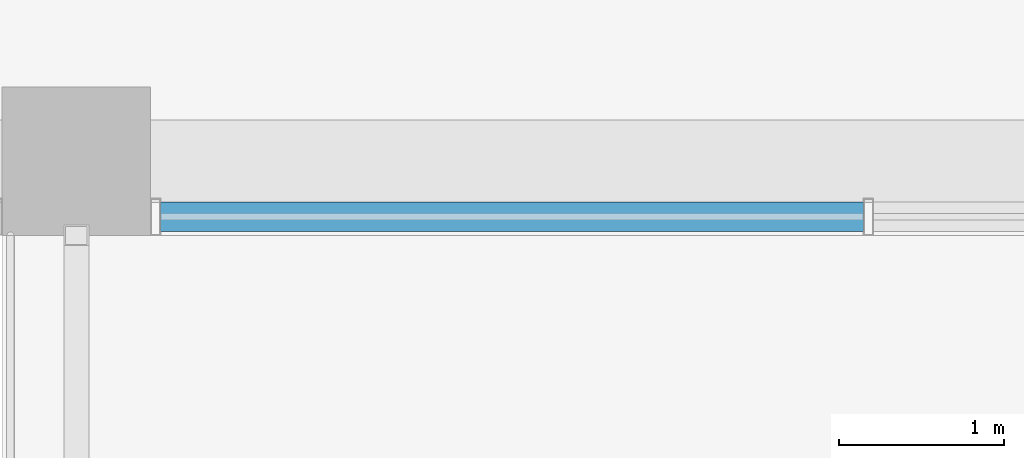
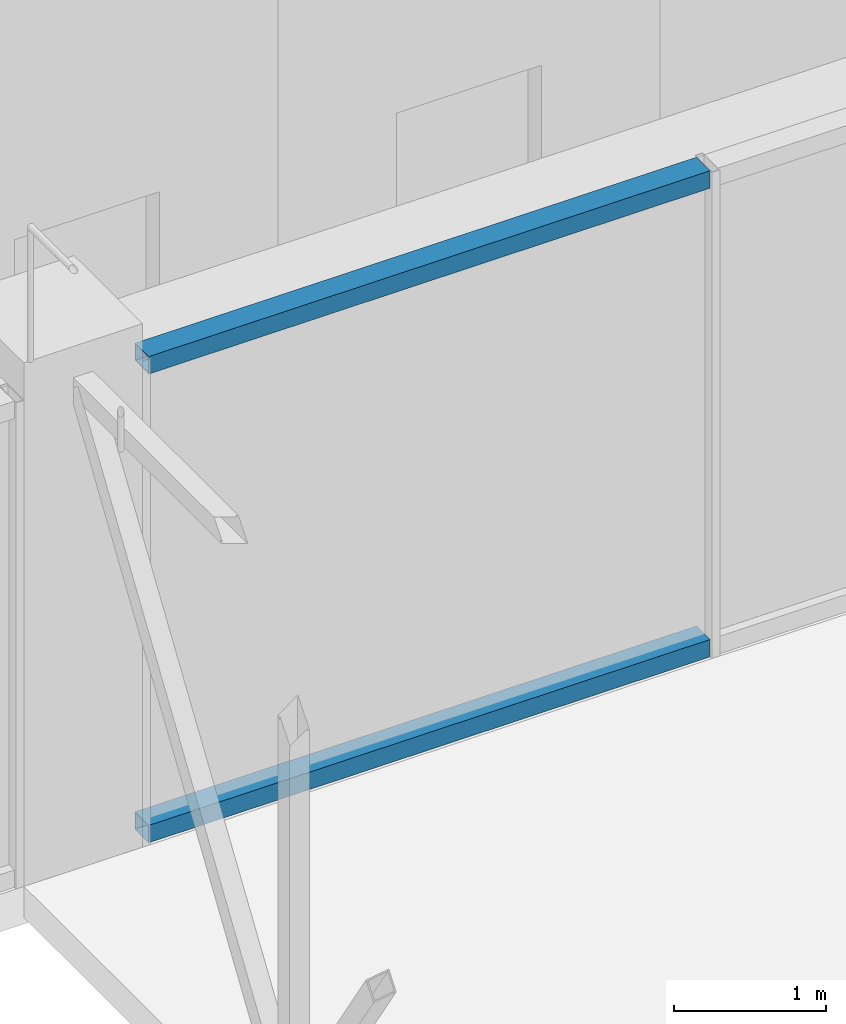
# One storey, part 11 of 38: 2 members, 1 element without a shape of its own.
"""IFC4 building model written with IfcOpenShell, lengths in metres."""

from ifc_helpers import new_model, si_unit, direction, frame, origin, origin_2d, place, context, subcontext, project, spatial, hollow_rectangle, extrude, material, layer, layer_set, material_profile, profile_set, type_object, element, aggregate, save


model = new_model("IFC4")

# Units and contexts
model_context = context("Model", 3, precision=1e-05, world=origin(), true_north=direction((0.0, 1.0)))
body_context = subcontext(model_context, "Body", "Model", "MODEL_VIEW")
ifc_project = project(units=[si_unit("LENGTHUNIT", "METRE"), si_unit("AREAUNIT", "SQUARE_METRE"), si_unit("VOLUMEUNIT", "CUBIC_METRE"), si_unit("PLANEANGLEUNIT", "RADIAN"), si_unit("MASSUNIT", "GRAM", prefix="KILO")], contexts=[model_context])

# Site, building, storey
site_placement = place(None, origin())
site = spatial("IfcSite", under=ifc_project, at=site_placement, CompositionType="ELEMENT")
building_placement = place(site_placement, origin())
building = spatial("IfcBuilding", under=site, at=building_placement, Name="Nzadi Deep Aquarium and Research Tower", CompositionType="ELEMENT")
storey_placement = place(building_placement, frame((0.0, 0.0, 65.5)))
storey = spatial("IfcBuildingStorey", under=building, at=storey_placement, Name="L13", CompositionType="ELEMENT", Elevation=65.5)

# Curtain wall, members
ifc_material_1 = material(Name="Aluminium unitised frame deep", Category="aluminium")
ifc_layer = layer(ifc_material_1, 0.22509765625)
ifc_layer_set = layer_set([ifc_layer], Name="Aluminium unitised frame deep")
curtain_wall_type = type_object("IfcCurtainWallType", Name="Curtain wall Unitised Deep 225", PredefinedType="NOTDEFINED", material=ifc_layer_set)
curtain_wall_placement = place(storey_placement, origin())
curtain_wall = element("IfcCurtainWall", 1, at=curtain_wall_placement, inside=storey, type_object=curtain_wall_type, Name="Unitised curtain wall blade B south L13", PredefinedType="NOTDEFINED")
ifc_material_2 = material(Name="Aluminium unitised frame deep", Category="aluminium")
ifc_material_profile = material_profile(ifc_material_2, hollow_rectangle(XDim=0.179931640625, YDim=0.139892578125, WallThickness=0.0048828125, at=origin_2d()))
ifc_profile_set = profile_set([ifc_material_profile], Name="Aluminium unitised frame deep")
member_type = type_object("IfcMemberType", Name="Transom 140x180 Unitised Deep", PredefinedType="MULLION", material=ifc_profile_set)
member_1_placement = place(storey_placement, frame((29.31005859375, 27.262451171875, 0.070068359375), z_axis=(1.0, 0.0, 0.0), x_axis=(0.0, 1.0, 0.0)))
member_1 = element("IfcMember", 2, at=member_1_placement, type_object=member_type, Name="CW167 transom 1.1", PredefinedType="MULLION", context=body_context, shape_type="SweptSolid", body=[
    extrude(hollow_rectangle(XDim=0.179931640625, YDim=0.139892578125, WallThickness=0.0048828125, at=origin_2d()), origin(), (0.0, 0.0, 1.0), 4.260009765625),
])
member_2_placement = place(storey_placement, frame((29.31005859375, 27.262451171875, 3.830078125), z_axis=(1.0, 0.0, 0.0), x_axis=(0.0, 1.0, 0.0)))
member_2 = element("IfcMember", 3, at=member_2_placement, type_object=member_type, Name="CW167 transom 1.2", PredefinedType="MULLION", context=body_context, shape_type="SweptSolid", body=[
    extrude(hollow_rectangle(XDim=0.179931640625, YDim=0.139892578125, WallThickness=0.0048828125, at=origin_2d()), origin(), (0.0, 0.0, 1.0), 4.260009765625),
])
aggregate(curtain_wall, [member_1, member_2])

save(model, "model.ifc")
